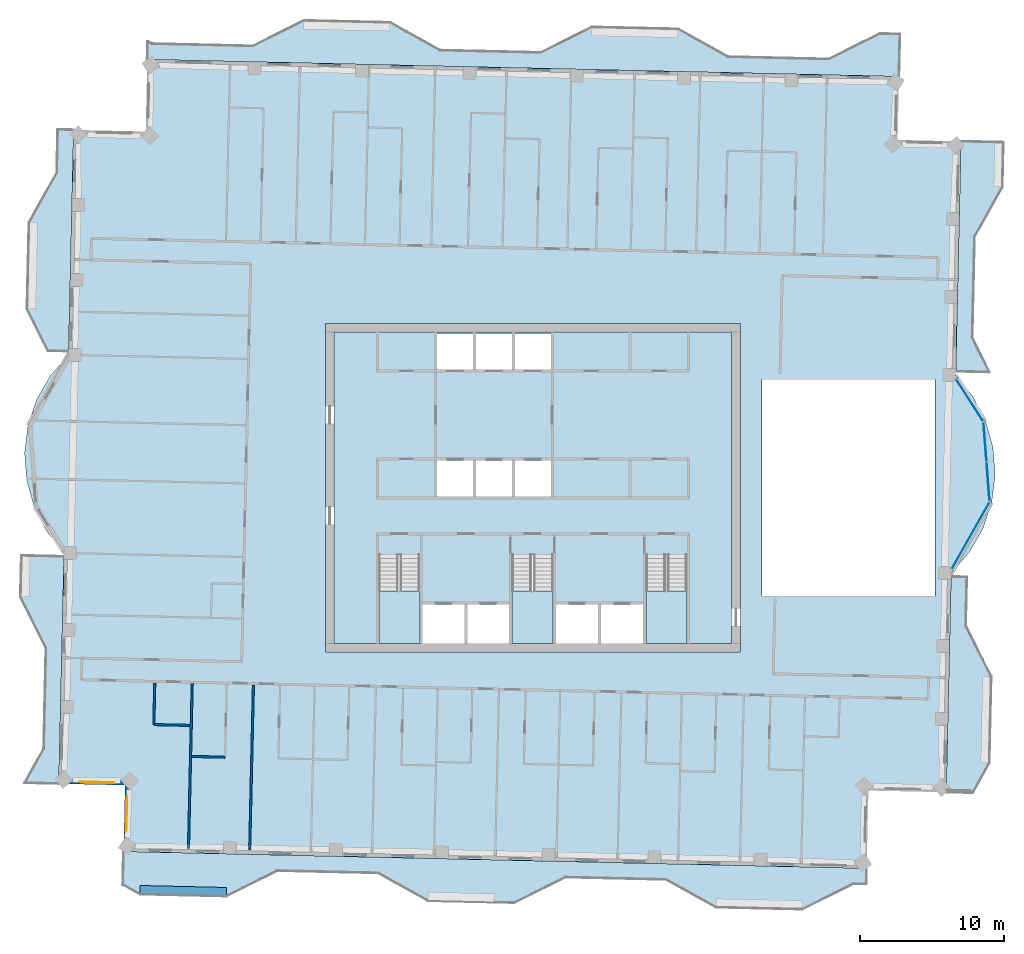
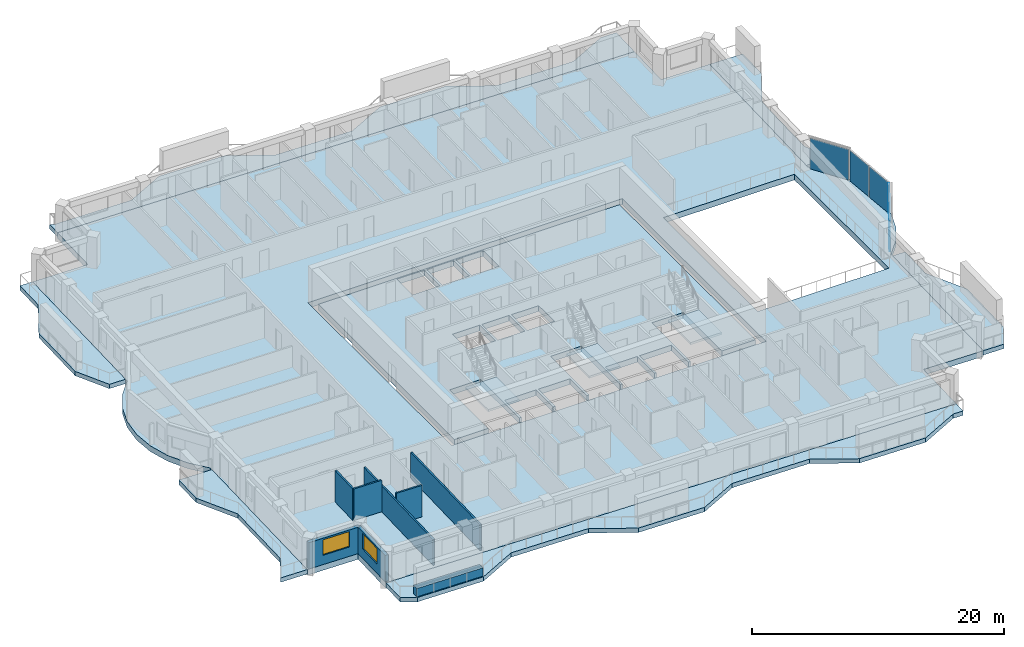
# One storey, part 3 of 15: 11 slabs, 8 walls, 4 plates, 2 windows, 2 openings, 6 elements without a shape of their own.
"""IFC4 building model written with IfcOpenShell, lengths in metres."""

import ifcopenshell
import ifcopenshell.guid

model = None  # the IFC model being written
_history = None  # IfcOwnerHistory: only IFC2X3 demands one
_inside = {}  # id of a spatial element -> (the spatial element, [elements in it])
_under = {}  # id of a project, library or spatial element -> (it, [spatial elements below it])
_declared = {}  # id of a project -> (the project, [libraries it declares])
_typed = {}  # id of a type object -> (the type object, [elements of that type])
_made_of = {}  # id of a material, layer set ... -> (it, [elements and type objects made of it])


def new_model(schema):
    """Start an empty IFC model of exactly this schema.

    Asked for "IFC4X3", IfcOpenShell would pick the latest addendum, in which some entities
    have other attributes; the version numbers below select the first issue.
    IFC2X3 requires an IfcOwnerHistory on every rooted entity: one is made here for all.
    """
    global model, _history
    if schema == "IFC4X3":
        model = ifcopenshell.file(schema_version=(4, 3, 0, 0))
    else:
        model = ifcopenshell.file(schema=schema)
    _inside.clear()
    _under.clear()
    _declared.clear()
    _typed.clear()
    _made_of.clear()
    _history = None
    if model.schema == "IFC2X3":
        org = make("IfcOrganization", Name="unknown")
        user = make(
            "IfcPersonAndOrganization",
            ThePerson=make("IfcPerson", FamilyName="unknown"),
            TheOrganization=org,
        )
        app = make(
            "IfcApplication",
            ApplicationDeveloper=org,
            Version="unknown",
            ApplicationFullName="unknown",
            ApplicationIdentifier="unknown",
        )
        _history = make(
            "IfcOwnerHistory",
            OwningUser=user,
            OwningApplication=app,
            ChangeAction="ADDED",
            CreationDate=0,
        )
    return model


def make(cls, **values):
    """One entity of the class cls with the attributes given. An attribute that is None is left unset."""
    return model.create_entity(
        cls, **{name: value for name, value in values.items() if value is not None}
    )


def rooted(cls, **values):
    """An entity with a GlobalId (a new one), such as an element, a storey or a relation."""
    return make(cls, GlobalId=ifcopenshell.guid.new(), OwnerHistory=_history, **values)


def si_unit(unit_type, name, prefix=None):
    """IfcSIUnit, for example si_unit("LENGTHUNIT", "METRE", prefix="MILLI")."""
    return make("IfcSIUnit", UnitType=unit_type, Prefix=prefix, Name=name)


def assignment(units):
    """IfcUnitAssignment: the units of a project."""
    return None if units is None else make("IfcUnitAssignment", Units=units)


def point(xyz):
    """IfcCartesianPoint."""
    return None if xyz is None else make("IfcCartesianPoint", Coordinates=xyz)


def direction(xyz):
    """IfcDirection."""
    return None if xyz is None else make("IfcDirection", DirectionRatios=xyz)


def frame(location, z_axis=None, x_axis=None):
    """IfcAxis2Placement3D, a coordinate frame: its origin and axes. An axis left out is left unset."""
    return make(
        "IfcAxis2Placement3D",
        Location=point(location),
        Axis=direction(z_axis),
        RefDirection=direction(x_axis),
    )


def frame_2d(location, x_axis=None):
    """IfcAxis2Placement2D, a coordinate frame in the plane: its origin and x axis."""
    return make(
        "IfcAxis2Placement2D", Location=point(location), RefDirection=direction(x_axis)
    )


def origin():
    """The frame at (0, 0, 0) with its axes left unset."""
    return frame((0.0, 0.0, 0.0))


def origin_2d():
    """The frame at (0, 0) in the plane with its x axis left unset."""
    return frame_2d((0.0, 0.0))


def place(relative_to, where):
    """IfcLocalPlacement: puts the frame where relative to a parent placement (None: the world)."""
    return make(
        "IfcLocalPlacement", PlacementRelTo=relative_to, RelativePlacement=where
    )


def context(
    kind, dimensions, precision=None, world=None, true_north=None, identifier=None
):
    """IfcGeometricRepresentationContext, for example the 3D "Model" context."""
    return make(
        "IfcGeometricRepresentationContext",
        ContextIdentifier=identifier,
        ContextType=kind,
        CoordinateSpaceDimension=dimensions,
        Precision=precision,
        WorldCoordinateSystem=world,
        TrueNorth=true_north,
    )


def subcontext(parent, identifier, kind, view, scale=None):
    """IfcGeometricRepresentationSubContext, for example "Body" below "Model"."""
    return make(
        "IfcGeometricRepresentationSubContext",
        ContextIdentifier=identifier,
        ContextType=kind,
        ParentContext=parent,
        TargetScale=scale,
        TargetView=view,
    )


def project(units=None, contexts=None):
    """IfcProject with its units and contexts."""
    return rooted(
        "IfcProject",
        Name="project",
        RepresentationContexts=contexts,
        UnitsInContext=assignment(units),
    )


def spatial(cls, under=None, at=None, **own):
    """A site, building, storey or space (cls), placed at a placement, below another one or the project."""
    s = rooted(cls, ObjectPlacement=at, **own)
    if under is not None:
        _under.setdefault(under.id(), (under, []))[1].append(s)
    return s


def polyline(points):
    """IfcPolyline through the points."""
    return make("IfcPolyline", Points=[point(p) for p in points])


def profile(cls, at=None, kind="AREA", **sizes):
    """A parametric profile (cls). Its sizes go by their IFC names, for example OverallWidth=200.0."""
    return make(cls, ProfileType=kind, Position=at, **sizes)


def rectangle(**sizes):
    """IfcRectangleProfileDef."""
    return profile("IfcRectangleProfileDef", **sizes)


def outline(outer, holes=None, kind="AREA"):
    """IfcArbitraryClosedProfileDef: a profile drawn as a closed curve; with holes, ...WithVoids."""
    if holes is None:
        return make("IfcArbitraryClosedProfileDef", ProfileType=kind, OuterCurve=outer)
    return make(
        "IfcArbitraryProfileDefWithVoids",
        ProfileType=kind,
        OuterCurve=outer,
        InnerCurves=holes,
    )


def extrude(swept, where, along, depth):
    """IfcExtrudedAreaSolid: the profile swept, set in the frame where, extruded along a direction by depth."""
    return make(
        "IfcExtrudedAreaSolid",
        SweptArea=swept,
        Position=where,
        ExtrudedDirection=direction(along),
        Depth=depth,
    )


def shape(context_of_items, identifier, shape_type, items):
    """IfcShapeRepresentation: the items that make up one representation, for example the "Body"."""
    return make(
        "IfcShapeRepresentation",
        ContextOfItems=context_of_items,
        RepresentationIdentifier=identifier,
        RepresentationType=shape_type,
        Items=items,
    )


def material(Name=None, Category=None):
    """IfcMaterial."""
    return make("IfcMaterial", Name=Name, Category=Category)


def layer(
    of_material, thickness, ventilated=None, Name=None, Category=None, Priority=None
):
    """IfcMaterialLayer: one layer of a wall or slab, of a material (None: an air gap)."""
    return make(
        "IfcMaterialLayer",
        Material=of_material,
        LayerThickness=thickness,
        IsVentilated=ventilated,
        Name=Name,
        Category=Category,
        Priority=Priority,
    )


def layer_set(layers, Name=None):
    """IfcMaterialLayerSet."""
    return make("IfcMaterialLayerSet", MaterialLayers=layers, LayerSetName=Name)


def made_of(thing, what):
    """Note that an element or type object is made of a material, layer set ...; save() writes the relation."""
    if what is not None:
        _made_of.setdefault(what.id(), (what, []))[1].append(thing)
    return thing


def type_object(cls, material=None, **own):
    """A type object (cls), such as IfcWallType, which elements share."""
    return made_of(rooted(cls, **own), material)


def element(
    cls,
    number,
    at=None,
    inside=None,
    cuts=None,
    type_object=None,
    material=None,
    context=None,
    identifier="Body",
    shape_type=None,
    held_by="IfcProductDefinitionShape",
    body=None,
    shapes=None,
    **own,
):
    """One element of the class cls, such as IfcWall. Its Tag is "e" and its number.

    at: its placement. inside: the storey or other place that contains it. cuts: it is an
    opening in that element (IfcRelVoidsElement). A single representation is given by context,
    identifier, shape_type and body (its items); several are given by shapes. held_by: the class
    of the entity that holds the representations. save() writes the other relations.
    """
    e = rooted(cls, Tag="e%d" % number, ObjectPlacement=at, **own)
    if body is not None:
        shapes = [shape(context, identifier, shape_type, body)]
    if shapes is not None:
        e.Representation = make(held_by, Representations=shapes)
    if inside is not None:
        _inside.setdefault(inside.id(), (inside, []))[1].append(e)
    if cuts is not None:
        rooted(
            "IfcRelVoidsElement", RelatingBuildingElement=cuts, RelatedOpeningElement=e
        )
    if type_object is not None:
        _typed.setdefault(type_object.id(), (type_object, []))[1].append(e)
    return made_of(e, material)


def fill(opening, filler):
    """IfcRelFillsElement: the door or window that sits in an opening."""
    return rooted(
        "IfcRelFillsElement",
        RelatingOpeningElement=opening,
        RelatedBuildingElement=filler,
    )


def aggregate(whole, parts):
    """IfcRelAggregates: a whole, such as a stair, and the parts it consists of."""
    return rooted("IfcRelAggregates", RelatingObject=whole, RelatedObjects=parts)


def save(model, path):
    """Write the relations noted so far, then the file.

    IfcRelAggregates (storeys below a building ...), IfcRelContainedInSpatialStructure (elements
    in a storey), IfcRelDefinesByType, IfcRelAssociatesMaterial and IfcRelDeclares: one each for
    every whole, place, type object, material and project.
    """
    for whole, parts in _under.values():
        aggregate(whole, parts)
    for where, things in _inside.values():
        rooted(
            "IfcRelContainedInSpatialStructure",
            RelatedElements=things,
            RelatingStructure=where,
        )
    for kind, things in _typed.values():
        rooted("IfcRelDefinesByType", RelatedObjects=things, RelatingType=kind)
    for what, things in _made_of.values():
        rooted("IfcRelAssociatesMaterial", RelatedObjects=things, RelatingMaterial=what)
    for by, libraries in _declared.values():
        rooted("IfcRelDeclares", RelatingContext=by, RelatedDefinitions=libraries)
    model.write(path)


model = new_model("IFC4")

# Units and contexts
model_context = context("Model", 3, precision=1e-05, world=origin(), true_north=direction((0.0, 1.0)))
body_context = subcontext(model_context, "Body", "Model", "MODEL_VIEW")
ifc_project = project(units=[si_unit("LENGTHUNIT", "METRE"), si_unit("AREAUNIT", "SQUARE_METRE"), si_unit("VOLUMEUNIT", "CUBIC_METRE"), si_unit("PLANEANGLEUNIT", "RADIAN"), si_unit("MASSUNIT", "GRAM", prefix="KILO")], contexts=[model_context])

# Site, building, storey
site_placement = place(None, origin())
site = spatial("IfcSite", under=ifc_project, at=site_placement, CompositionType="ELEMENT")
building_placement = place(site_placement, origin())
building = spatial("IfcBuilding", under=site, at=building_placement, Name="Mangrove Gate Tower", CompositionType="ELEMENT")
storey_placement = place(building_placement, frame((0.0, 0.0, 313.300048828125)))
storey = spatial("IfcBuildingStorey", under=building, at=storey_placement, Name="L80", CompositionType="ELEMENT", Elevation=313.300048828125)

# Curtain wall, plate
ifc_material_1 = material(Name="Aluminium and glass curtain wall", Category="aluminium")
curtain_wall_type = type_object("IfcCurtainWallType", Name="Atrium garden-court glazing wall", PredefinedType="NOTDEFINED", material=ifc_material_1)
curtain_wall_1_placement = place(storey_placement, origin())
curtain_wall_1 = element("IfcCurtainWall", 1, at=curtain_wall_1_placement, inside=storey, type_object=curtain_wall_type, Name="Atrium garden-court glazing E1f1", PredefinedType="NOTDEFINED")
ifc_material_2 = material(Name="Laminated low-e glass", Category="glass")
ifc_layer_1 = layer(ifc_material_2, 0.031982421875)
ifc_layer_set_1 = layer_set([ifc_layer_1], Name="Atrium garden-court glazing panel 32")
plate_type = type_object("IfcPlateType", Name="Atrium garden-court glazing panel 32", PredefinedType="CURTAIN_PANEL", material=ifc_layer_set_1)
plate_1_placement = place(storey_placement, frame((30.381103515625, -3.32861328125, 0.0), z_axis=(0.0, 0.0, 1.0), x_axis=(0.4925871539, 0.870263118725, 0.0)))
plate_1 = element("IfcPlate", 2, at=plate_1_placement, type_object=plate_type, Name="CWA panel 1.1", PredefinedType="CURTAIN_PANEL", context=body_context, shape_type="SweptSolid", body=[
    extrude(rectangle(XDim=5.258056640625, YDim=0.031982421875, at=origin_2d()), origin(), (0.0, 0.0, 1.0), 2.97998046875),
])
aggregate(curtain_wall_1, [plate_1])

# Curtain wall, plates
curtain_wall_2_placement = place(storey_placement, origin())
curtain_wall_2 = element("IfcCurtainWall", 3, at=curtain_wall_2_placement, inside=storey, type_object=curtain_wall_type, Name="Atrium garden-court glazing E1f2", PredefinedType="NOTDEFINED")
plate_2_placement = place(storey_placement, frame((31.601806640625, 0.427001953125, 0.0), z_axis=(0.0, 0.0, 1.0), x_axis=(-0.077023348212, 0.997029289354, 0.0)))
plate_2 = element("IfcPlate", 4, at=plate_2_placement, type_object=plate_type, Name="CWA panel 1.1", PredefinedType="CURTAIN_PANEL", context=body_context, shape_type="SweptSolid", body=[
    extrude(rectangle(XDim=2.681640625, YDim=0.031982421875, at=origin_2d()), origin(), (0.0, 0.0, 1.0), 2.97998046875),
])
plate_3_placement = place(storey_placement, frame((31.389892578125, 3.17041015625, 0.0), z_axis=(0.0, 0.0, 1.0), x_axis=(-0.077023348212, 0.997029289354, 0.0)))
plate_3 = element("IfcPlate", 5, at=plate_3_placement, type_object=plate_type, Name="CWA panel 2.1", PredefinedType="CURTAIN_PANEL", context=body_context, shape_type="SweptSolid", body=[
    extrude(rectangle(XDim=2.681640625, YDim=0.031982421875, at=origin_2d()), origin(), (0.0, 0.0, 1.0), 2.97998046875),
])
aggregate(curtain_wall_2, [plate_2, plate_3])

# Curtain wall, plate
curtain_wall_3_placement = place(storey_placement, origin())
curtain_wall_3 = element("IfcCurtainWall", 6, at=curtain_wall_3_placement, inside=storey, type_object=curtain_wall_type, Name="Atrium garden-court glazing E1f3", PredefinedType="NOTDEFINED")
plate_4_placement = place(storey_placement, frame((30.31689453125, 6.078369140625, 0.0), z_axis=(0.0, 0.0, 1.0), x_axis=(-0.540512472211, 0.841336001479, 0.0)))
plate_4 = element("IfcPlate", 7, at=plate_4_placement, type_object=plate_type, Name="CWA panel 1.1", PredefinedType="CURTAIN_PANEL", context=body_context, shape_type="SweptSolid", body=[
    extrude(rectangle(XDim=3.4287109375, YDim=0.031982421875, at=origin_2d()), origin(), (0.0, 0.0, 1.0), 2.97998046875),
])
aggregate(curtain_wall_3, [plate_4])

# Slabs
ifc_material_3 = material(Name="Porcelain tile")
ifc_layer_2 = layer(ifc_material_3, 0.02001953125, Name="Tile finish")
ifc_material_4 = material(Name="Cement sand screed")
ifc_layer_3 = layer(ifc_material_4, 0.0400390625, Name="Screed laid to falls")
ifc_material_5 = material(Name="Bituminous waterproofing membrane")
ifc_layer_4 = layer(ifc_material_5, 0.00390625, Name="Waterproofing")
ifc_material_6 = material(Name="Concrete C40/50", Category="concrete")
ifc_layer_5 = layer(ifc_material_6, 0.340087890625, Name="Balcony structural slab")
ifc_material_7 = material(Name="Limestone", Category="masonry")
ifc_layer_6 = layer(ifc_material_7, 0.01611328125, Name="Soffit lining")
ifc_layer_set_2 = layer_set([ifc_layer_2, ifc_layer_3, ifc_layer_4, ifc_layer_5, ifc_layer_6], Name="Balcony slab 420 C40/50")
slab_type_1 = type_object("IfcSlabType", Name="Balcony slab 420 C40/50", PredefinedType="FLOOR", material=ifc_layer_set_2)
slab_1_placement = place(storey_placement, frame((0.0, 0.0, -0.420166015625)))
element("IfcSlab", 8, at=slab_1_placement, inside=storey, type_object=slab_type_1, Name="BALCONY L80 E0", PredefinedType="FLOOR", context=body_context, shape_type="SweptSolid", body=[
    extrude(outline(polyline([(30.570068359375, -21.18603515625), (31.72802734375, -19.111083984375), (31.864013671875, -13.113037109375), (30.093994140625, -9.572021484375), (30.169921875, -6.197998046875), (29.030029296875, -6.172119140625), (28.9541015625, -9.5458984375), (28.8740234375, -13.044921875), (28.738037109375, -19.0439453125), (28.69091796875, -21.14306640625), (30.570068359375, -21.18603515625)])), origin(), (0.0, 0.0, 1.0), 0.420166015625),
])
slab_2_placement = place(storey_placement, frame((0.0, 0.0, -0.420166015625)))
element("IfcSlab", 9, at=slab_2_placement, inside=storey, type_object=slab_type_1, Name="BALCONY L80 E1", PredefinedType="FLOOR", context=body_context, shape_type="SweptSolid", body=[
    extrude(outline(polyline([(31.748046875, 8.02001953125), (30.547119140625, 10.423095703125), (30.7060546875, 17.4208984375), (32.635009765625, 20.8779296875), (32.705078125, 23.97705078125), (29.716064453125, 24.044921875), (29.64599609375, 20.946044921875), (29.56591796875, 17.447021484375), (29.407958984375, 10.448974609375), (29.35400390625, 8.074951171875), (31.748046875, 8.02001953125)])), origin(), (0.0, 0.0, 1.0), 0.420166015625),
])
slab_3_placement = place(storey_placement, frame((0.0, 0.0, -0.420166015625)))
element("IfcSlab", 10, at=slab_3_placement, inside=storey, type_object=slab_type_1, Name="BALCONY L80 N0", PredefinedType="FLOOR", context=body_context, shape_type="SweptSolid", body=[
    extrude(outline(polyline([(25.485107421875, 31.532958984375), (24.0849609375, 31.56494140625), (20.5439453125, 29.794921875), (13.5458984375, 29.9541015625), (10.089111328125, 31.883056640625), (4.090087890625, 32.01904296875), (0.549072265625, 30.2490234375), (-6.448974609375, 30.406982421875), (-9.906005859375, 32.3359375), (-15.904052734375, 32.471923828125), (-19.445068359375, 30.702880859375), (-26.444091796875, 30.861083984375), (-26.739990234375, 31.02587890625), (-26.76904296875, 29.72802734375), (25.4169921875, 28.5439453125), (25.485107421875, 31.532958984375)])), origin(), (0.0, 0.0, 1.0), 0.420166015625),
])
slab_4_placement = place(storey_placement, frame((0.0, 0.0, -0.420166015625)))
element("IfcSlab", 11, at=slab_4_placement, inside=storey, type_object=slab_type_1, Name="BALCONY L80 W0", PredefinedType="FLOOR", context=body_context, shape_type="SweptSolid", body=[
    extrude(outline(polyline([(-33.02099609375, 24.868896484375), (-33.089111328125, 21.8701171875), (-35.01806640625, 18.412109375), (-35.154052734375, 12.4140625), (-33.700927734375, 9.506103515625), (-32.22998046875, 9.471923828125), (-32.1650390625, 12.345947265625), (-32.029052734375, 18.344970703125), (-31.949951171875, 21.843994140625), (-31.882080078125, 24.843017578125), (-33.02099609375, 24.868896484375)])), origin(), (0.0, 0.0, 1.0), 0.420166015625),
])
slab_5_placement = place(storey_placement, frame((0.0, 0.0, -0.420166015625)))
element("IfcSlab", 12, at=slab_5_placement, inside=storey, type_object=slab_type_1, Name="BALCONY L80 W1", PredefinedType="FLOOR", context=body_context, shape_type="SweptSolid", body=[
    extrude(outline(polyline([(-35.54296875, -4.70703125), (-35.60791015625, -7.5810546875), (-33.837890625, -11.1220703125), (-33.9970703125, -18.1201171875), (-35.320068359375, -20.490966796875), (-32.912109375, -20.544921875), (-32.85693359375, -18.14599609375), (-32.697998046875, -11.14794921875), (-32.618896484375, -7.64892578125), (-32.553955078125, -4.77490234375), (-35.54296875, -4.70703125)])), origin(), (0.0, 0.0, 1.0), 0.420166015625),
])
slab_6_placement = place(storey_placement, frame((0.0, 0.0, -0.420166015625)))
element("IfcSlab", 13, at=slab_6_placement, inside=storey, type_object=slab_type_1, Name="BALCONY L80 S0", PredefinedType="FLOOR", context=body_context, shape_type="SweptSolid", body=[
    extrude(outline(polyline([(-28.470947265625, -27.60400390625), (-27.284912109375, -28.264892578125), (-21.287109375, -28.40087890625), (-17.74609375, -26.631103515625), (-10.748046875, -26.7900390625), (-7.2900390625, -28.718994140625), (-1.2919921875, -28.85498046875), (2.2490234375, -27.0859375), (9.2470703125, -27.243896484375), (12.7041015625, -29.172119140625), (18.702880859375, -29.30908203125), (22.243896484375, -27.5390625), (23.14404296875, -27.55908203125), (23.169921875, -26.4189453125), (-28.4169921875, -25.2490234375), (-28.470947265625, -27.60400390625)])), origin(), (0.0, 0.0, 1.0), 0.420166015625),
])
ifc_material_8 = material(Name="Concrete C40/50", Category="concrete")
ifc_layer_7 = layer(ifc_material_8, 0.550048828125)
ifc_layer_set_3 = layer_set([ifc_layer_7], Name="Core floor slab 550 C40/50")
slab_type_2 = type_object("IfcSlabType", Name="Core floor slab 550 C40/50", PredefinedType="FLOOR", material=ifc_layer_set_3)
slab_7_placement = place(storey_placement, frame((0.0, 0.0, -0.550048828125)))
element("IfcSlab", 14, at=slab_7_placement, inside=storey, type_object=slab_type_2, Name="SLAB-L80-CORE-1", PredefinedType="FLOOR", context=body_context, shape_type="SweptSolid", body=[
    extrude(outline(polyline([(-13.800048828125, -10.800048828125), (-13.800048828125, 10.800048828125), (13.800048828125, 10.800048828125), (13.800048828125, -10.800048828125), (10.699951171875, -10.800048828125), (10.699951171875, -4.653076171875), (7.85009765625, -4.653076171875), (7.85009765625, -10.800048828125), (7.64990234375, -10.800048828125), (7.64990234375, -8.10009765625), (4.72509765625, -8.10009765625), (4.72509765625, -10.800048828125), (4.52490234375, -10.800048828125), (4.52490234375, -8.10009765625), (1.60009765625, -8.10009765625), (1.60009765625, -10.800048828125), (1.39990234375, -10.800048828125), (1.39990234375, -4.653076171875), (-1.449951171875, -4.653076171875), (-1.449951171875, -10.800048828125), (-1.64990234375, -10.800048828125), (-1.64990234375, -8.10009765625), (-4.550048828125, -8.10009765625), (-4.550048828125, -10.800048828125), (-4.75, -10.800048828125), (-4.75, -8.10009765625), (-7.64990234375, -8.10009765625), (-7.64990234375, -10.800048828125), (-7.85009765625, -10.800048828125), (-7.85009765625, -4.653076171875), (-10.699951171875, -4.653076171875), (-10.699951171875, -10.800048828125), (-13.800048828125, -10.800048828125)]), holes=[polyline([(-4.14990234375, 1.89990234375), (-6.64990234375, 1.89990234375), (-6.64990234375, -0.60009765625), (-4.14990234375, -0.60009765625), (-4.14990234375, 1.89990234375)]), polyline([(-1.449951171875, -0.60009765625), (-1.449951171875, 1.89990234375), (-3.949951171875, 1.89990234375), (-3.949951171875, -0.60009765625), (-1.449951171875, -0.60009765625)]), polyline([(-4.14990234375, 8.199951171875), (-4.14990234375, 10.699951171875), (-6.64990234375, 10.699951171875), (-6.64990234375, 8.199951171875), (-4.14990234375, 8.199951171875)]), polyline([(-1.449951171875, 10.699951171875), (-3.949951171875, 10.699951171875), (-3.949951171875, 8.199951171875), (-1.449951171875, 8.199951171875), (-1.449951171875, 10.699951171875)]), polyline([(1.25, -0.60009765625), (1.25, 1.89990234375), (-1.25, 1.89990234375), (-1.25, -0.60009765625), (1.25, -0.60009765625)]), polyline([(1.25, 8.199951171875), (1.25, 10.699951171875), (-1.25, 10.699951171875), (-1.25, 8.199951171875), (1.25, 8.199951171875)])]), origin(), (0.0, 0.0, 1.0), 0.550048828125),
])

# Stair, slab
ifc_material_9 = material(Name="Concrete C40/50", Category="concrete")
stair_type = type_object("IfcStairType", Name="Core stair 1350", PredefinedType="HALF_TURN_STAIR", material=ifc_material_9)
stair_1_placement = place(storey_placement, origin())
stair_1 = element("IfcStair", 15, at=stair_1_placement, inside=storey, type_object=stair_type, Name="L80 Stair 1", PredefinedType="HALF_TURN_STAIR")
ifc_material_10 = material(Name="Concrete C40/50", Category="concrete")
ifc_layer_8 = layer(ifc_material_10, 0.199951171875)
ifc_layer_set_4 = layer_set([ifc_layer_8], Name="Core stair landing 200")
slab_type_3 = type_object("IfcSlabType", Name="Core stair landing 200", PredefinedType="LANDING", material=ifc_layer_set_4)
slab_8_placement = place(storey_placement, frame((0.0, 0.0, 1.599853515625)))
slab_8 = element("IfcSlab", 16, at=slab_8_placement, type_object=slab_type_3, Name="ST1 landing 1", PredefinedType="LANDING", context=body_context, shape_type="SweptSolid", body=[
    extrude(outline(polyline([(-10.699951171875, -7.169921875), (-10.699951171875, -10.800048828125), (-7.85009765625, -10.800048828125), (-7.85009765625, -7.169921875), (-10.699951171875, -7.169921875)])), origin(), (0.0, 0.0, 1.0), 0.2001953125),
])
aggregate(stair_1, [slab_8])

stair_2_placement = place(storey_placement, origin())
stair_2 = element("IfcStair", 17, at=stair_2_placement, inside=storey, type_object=stair_type, Name="L80 Stair 2", PredefinedType="HALF_TURN_STAIR")
slab_9_placement = place(storey_placement, frame((0.0, 0.0, 1.599853515625)))
slab_9 = element("IfcSlab", 18, at=slab_9_placement, type_object=slab_type_3, Name="ST2 landing 1", PredefinedType="LANDING", context=body_context, shape_type="SweptSolid", body=[
    extrude(outline(polyline([(-1.449951171875, -7.169921875), (-1.449951171875, -10.800048828125), (1.39990234375, -10.800048828125), (1.39990234375, -7.169921875), (-1.449951171875, -7.169921875)])), origin(), (0.0, 0.0, 1.0), 0.2001953125),
])
aggregate(stair_2, [slab_9])

stair_3_placement = place(storey_placement, origin())
stair_3 = element("IfcStair", 19, at=stair_3_placement, inside=storey, type_object=stair_type, Name="L80 Stair 3", PredefinedType="HALF_TURN_STAIR")
slab_10_placement = place(storey_placement, frame((0.0, 0.0, 1.599853515625)))
slab_10 = element("IfcSlab", 20, at=slab_10_placement, type_object=slab_type_3, Name="ST3 landing 1", PredefinedType="LANDING", context=body_context, shape_type="SweptSolid", body=[
    extrude(outline(polyline([(7.85009765625, -7.169921875), (7.85009765625, -10.800048828125), (10.699951171875, -10.800048828125), (10.699951171875, -7.169921875), (7.85009765625, -7.169921875)])), origin(), (0.0, 0.0, 1.0), 0.2001953125),
])
aggregate(stair_3, [slab_10])

# Slab
ifc_material_11 = material(Name="Concrete C40/50", Category="concrete")
ifc_layer_9 = layer(ifc_material_11, 0.550048828125)
ifc_layer_set_5 = layer_set([ifc_layer_9], Name="Floor slab 550 C40/50")
slab_type_4 = type_object("IfcSlabType", Name="Floor slab 550 C40/50", PredefinedType="FLOOR", material=ifc_layer_set_5)
slab_11_placement = place(storey_placement, frame((0.0, 0.0, -0.550048828125)))
element("IfcSlab", 21, at=slab_11_placement, inside=storey, type_object=slab_type_4, Name="Floor slab L80", PredefinedType="FLOOR", context=body_context, shape_type="SweptSolid", body=[
    extrude(outline(polyline([(-28.417236328125, -25.24853515625), (23.169677734375, -26.419189453125), (23.2919921875, -21.0205078125), (28.690673828125, -21.14306640625), (29.0361328125, -5.92236328125), (30.299072265625, -4.48583984375), (31.252197265625, -2.827392578125), (31.857666015625, -1.012939453125), (32.09130859375, 0.885498046875), (31.944091796875, 2.79248046875), (31.42138671875, 4.632568359375), (30.544677734375, 6.33251953125), (29.34814453125, 7.82470703125), (29.716064453125, 24.045166015625), (25.3173828125, 24.14501953125), (25.4169921875, 28.5439453125), (-26.76953125, 29.728271484375), (-26.8828125, 24.7294921875), (-31.881591796875, 24.843017578125), (-32.236083984375, 9.222412109375), (-33.4990234375, 7.785888671875), (-34.4521484375, 6.12744140625), (-35.0576171875, 4.31298828125), (-35.291259765625, 2.41455078125), (-35.14404296875, 0.507568359375), (-34.62158203125, -1.33251953125), (-33.74462890625, -3.032470703125), (-32.548095703125, -4.524658203125), (-32.91162109375, -20.54541015625), (-28.312744140625, -20.649658203125), (-28.417236328125, -25.24853515625)]), holes=[polyline([(15.89990234375, 7.5), (27.922119140625, 7.5), (27.922119140625, -7.5), (15.89990234375, -7.5), (15.89990234375, 7.5)]), polyline([(-14.39990234375, -11.39990234375), (-14.39990234375, 11.39990234375), (14.39990234375, 11.39990234375), (14.39990234375, -11.39990234375), (-14.39990234375, -11.39990234375)])]), origin(), (0.0, 0.0, 1.0), 0.550048828125),
])

# Wall, opening, window
ifc_layer_10 = layer(ifc_material_7, 0.0400390625, Name="Limestone cladding")
ifc_material_12 = material(Name="Ventilated air gap")
ifc_layer_11 = layer(ifc_material_12, 0.0400390625, Name="Ventilated cavity")
ifc_material_13 = material(Name="Mineral wool insulation")
ifc_layer_12 = layer(ifc_material_13, 0.06005859375, Name="Insulation")
ifc_material_14 = material(Name="Breather membrane")
ifc_layer_13 = layer(ifc_material_14, 0.001953125, Name="Breather membrane")
ifc_material_15 = material(Name="Concrete C20/25 blockwork", Category="masonry")
ifc_layer_14 = layer(ifc_material_15, 0.14990234375, Name="Blockwork backing wall")
ifc_material_16 = material(Name="Gypsum plaster")
ifc_layer_15 = layer(ifc_material_16, 0.008056640625, Name="Internal plaster")
ifc_layer_set_6 = layer_set([ifc_layer_10, ifc_layer_11, ifc_layer_12, ifc_layer_13, ifc_layer_14, ifc_layer_15], Name="External wall 300 limestone cladding")
wall_type_1 = type_object("IfcWallType", Name="External wall 300 limestone cladding", PredefinedType="SOLIDWALL", material=ifc_layer_set_6)
wall_1_placement = place(storey_placement, frame((-32.758056640625, -20.39892578125, 0.0), z_axis=(0.0, 0.0, 1.0), x_axis=(0.999744404568, -0.02260808559, 0.0)))
wall_1 = element("IfcWall", 22, at=wall_1_placement, inside=storey, type_object=wall_type_1, Name="WALL-L80-S11", PredefinedType="SOLIDWALL", context=body_context, shape_type="SweptSolid", body=[
    extrude(rectangle(XDim=4.600341796875, YDim=0.300048828125, at=frame_2d((2.30029296875, 0.0))), origin(), (0.0, 0.0, 1.0), 2.550048828125),
])
opening_1_placement = place(wall_1_placement, frame((1.278076171875, 0.0, 0.89990234375)))
opening_1 = element("IfcOpeningElement", 23, at=opening_1_placement, cuts=wall_1, Name="Opening W2", PredefinedType="OPENING", context=body_context, shape_type="SweptSolid", body=[
    extrude(rectangle(XDim=2.39990234375, YDim=1.5, at=frame_2d((1.199951171875, 0.75))), frame((0.0, 0.159912109375, 0.0), z_axis=(0.0, -1.0, 0.0), x_axis=(1.0, 0.0, 0.0)), (0.0, 0.0, 1.0), 0.320068359375),
])
ifc_material_17 = material(Name="Aluminium frame with double-glazed low-e glass", Category="aluminium")
window_type = type_object("IfcWindowType", Name="Corner room window 2400x1500", PartitioningType="DOUBLE_PANEL_VERTICAL", PredefinedType="WINDOW", material=ifc_material_17)
window_1_placement = place(opening_1_placement, origin())
window_1 = element("IfcWindow", 24, at=window_1_placement, inside=storey, type_object=window_type, Name="WIN-L80-S11-1", OverallHeight=1.5, OverallWidth=2.39990234375, PartitioningType="DOUBLE_PANEL_VERTICAL", PredefinedType="WINDOW", context=body_context, shape_type="SweptSolid", body=[
    extrude(rectangle(XDim=2.39990234375, YDim=1.5, at=frame_2d((1.199951171875, 0.75))), frame((0.0, 0.030029296875, 0.0), z_axis=(0.0, -1.0, 0.0), x_axis=(1.0, 0.0, 0.0)), (0.0, 0.0, 1.0), 0.06005859375),
])
fill(opening_1, window_1)

wall_2_placement = place(storey_placement, frame((-28.158935546875, -20.5029296875, 0.0), z_axis=(0.0, 0.0, 1.0), x_axis=(-0.022820258049, -0.999739584003, 0.0)))
wall_2 = element("IfcWall", 25, at=wall_2_placement, inside=storey, type_object=wall_type_1, Name="WALL-L80-W12", PredefinedType="SOLIDWALL", context=body_context, shape_type="SweptSolid", body=[
    extrude(rectangle(XDim=4.600341796875, YDim=0.300048828125, at=frame_2d((2.30029296875, 0.0))), origin(), (0.0, 0.0, 1.0), 2.550048828125),
])
opening_2_placement = place(wall_2_placement, frame((0.908935546875, 0.0, 0.89990234375)))
opening_2 = element("IfcOpeningElement", 26, at=opening_2_placement, cuts=wall_2, Name="Opening W2", PredefinedType="OPENING", context=body_context, shape_type="SweptSolid", body=[
    extrude(rectangle(XDim=2.39990234375, YDim=1.5, at=frame_2d((1.199951171875, 0.75))), frame((0.0, 0.159912109375, 0.0), z_axis=(0.0, -1.0, 0.0), x_axis=(1.0, 0.0, 0.0)), (0.0, 0.0, 1.0), 0.320068359375),
])
window_2_placement = place(opening_2_placement, origin())
window_2 = element("IfcWindow", 27, at=window_2_placement, inside=storey, type_object=window_type, Name="WIN-L80-W12-1", OverallHeight=1.5, OverallWidth=2.39990234375, PartitioningType="DOUBLE_PANEL_VERTICAL", PredefinedType="WINDOW", context=body_context, shape_type="SweptSolid", body=[
    extrude(rectangle(XDim=2.39990234375, YDim=1.5, at=frame_2d((1.199951171875, 0.75))), frame((0.0, 0.030029296875, 0.0), z_axis=(0.0, -1.0, 0.0), x_axis=(1.0, 0.0, 0.0)), (0.0, 0.0, 1.0), 0.06005859375),
])
fill(opening_2, window_2)

# Walls
ifc_material_18 = material(Name="Gypsum board on steel stud, EI 60", Category="steel")
ifc_layer_16 = layer(ifc_material_18, 0.14990234375)
ifc_layer_set_7 = layer_set([ifc_layer_16], Name="Party wall 150 EI 60")
wall_type_2 = type_object("IfcWallType", Name="Party wall 150 EI 60", PredefinedType="PARTITIONING", material=ifc_layer_set_7)
for number, where, z_axis, x_axis, name in (
    (28, (-23.912109375, -25.051025390625, 0.0), (0.0, 0.0, 1.0), (0.022708327922, 0.999742132674, 0.0), "WALL-L80-001"),
    (29, (-19.6630859375, -25.14697265625, 0.0), (0.0, 0.0, 1.0), (0.022708327922, 0.999742132674, 0.0), "WALL-L80-002"),
):
    element("IfcWall", number, at=place(storey_placement, frame(where, z_axis=z_axis, x_axis=x_axis)), inside=storey, type_object=wall_type_2, Name=name, PredefinedType="PARTITIONING", context=body_context, shape_type="SweptSolid", body=[
        extrude(rectangle(XDim=11.449951171875, YDim=0.14990234375, at=frame_2d((5.72509765625, 0.0))), origin(), (0.0, 0.0, 1.0), 2.5),
    ])
wall_3_placement = place(storey_placement, frame((-23.69091796875, -18.654052734375, 0.0), z_axis=(0.0, 0.0, 1.0), x_axis=(0.999740260747, -0.02279059109, 0.0)))
element("IfcWall", 30, at=wall_3_placement, inside=storey, type_object=wall_type_2, Name="WALL-L80-016", PredefinedType="PARTITIONING", context=body_context, shape_type="SweptSolid", body=[
    extrude(rectangle(XDim=2.324462890625, YDim=0.14990234375, at=frame_2d((1.162109375, 0.0))), origin(), (0.0, 0.0, 1.0), 3.050048828125),
])
wall_4_placement = place(storey_placement, frame((-26.31689453125, -16.444091796875, 0.0), z_axis=(0.0, 0.0, 1.0), x_axis=(0.9997461113, -0.022532486354, 0.0)))
element("IfcWall", 31, at=wall_4_placement, inside=storey, type_object=wall_type_2, Name="WALL-L80-030", PredefinedType="PARTITIONING", context=body_context, shape_type="SweptSolid", body=[
    extrude(rectangle(XDim=2.524658203125, YDim=0.14990234375, at=frame_2d((1.26220703125, 0.0))), origin(), (0.0, 0.0, 1.0), 3.050048828125),
])
wall_5_placement = place(storey_placement, frame((-26.31689453125, -16.444091796875, 0.0), z_axis=(0.0, 0.0, 1.0), x_axis=(0.022730967319, 0.999741618182, 0.0)))
element("IfcWall", 32, at=wall_5_placement, inside=storey, type_object=wall_type_2, Name="WALL-L80-031", PredefinedType="PARTITIONING", context=body_context, shape_type="SweptSolid", body=[
    extrude(rectangle(XDim=2.89990234375, YDim=0.14990234375, at=frame_2d((1.449951171875, 0.0))), origin(), (0.0, 0.0, 1.0), 3.050048828125),
])
ifc_material_19 = material(Name="Concrete C32/40", Category="concrete")
ifc_layer_17 = layer(ifc_material_19, 0.199951171875, Name="Planter trough wall")
ifc_layer_18 = layer(ifc_material_5, 0.0048828125, Name="Waterproofing")
ifc_material_20 = material(Name="Drainage board and gravel")
ifc_layer_19 = layer(ifc_material_20, 0.044921875, Name="Drainage layer")
ifc_material_21 = material(Name="Planting soil")
ifc_layer_20 = layer(ifc_material_21, 0.300048828125, Name="Growing medium")
ifc_layer_set_8 = layer_set([ifc_layer_17, ifc_layer_18, ifc_layer_19, ifc_layer_20], Name="Planter wall 550 C32/40")
wall_type_3 = type_object("IfcWallType", Name="Planter wall 550 C32/40", PredefinedType="USERDEFINED", material=ifc_layer_set_8)
wall_6_placement = place(storey_placement, frame((-27.277099609375, -27.889892578125, 0.0), z_axis=(0.0, 0.0, 1.0), x_axis=(0.999743094499, -0.022665943652, 0.0)))
element("IfcWall", 33, at=wall_6_placement, inside=storey, type_object=wall_type_3, Name="PLANTER L80 S0.1", ObjectType="PLANTER", PredefinedType="USERDEFINED", context=body_context, shape_type="SweptSolid", body=[
    extrude(rectangle(XDim=5.99951171875, YDim=0.550048828125, at=frame_2d((2.999755859375, 0.0))), origin(), (0.0, 0.0, 1.0), 0.800048828125),
])

save(model, "model.ifc")
